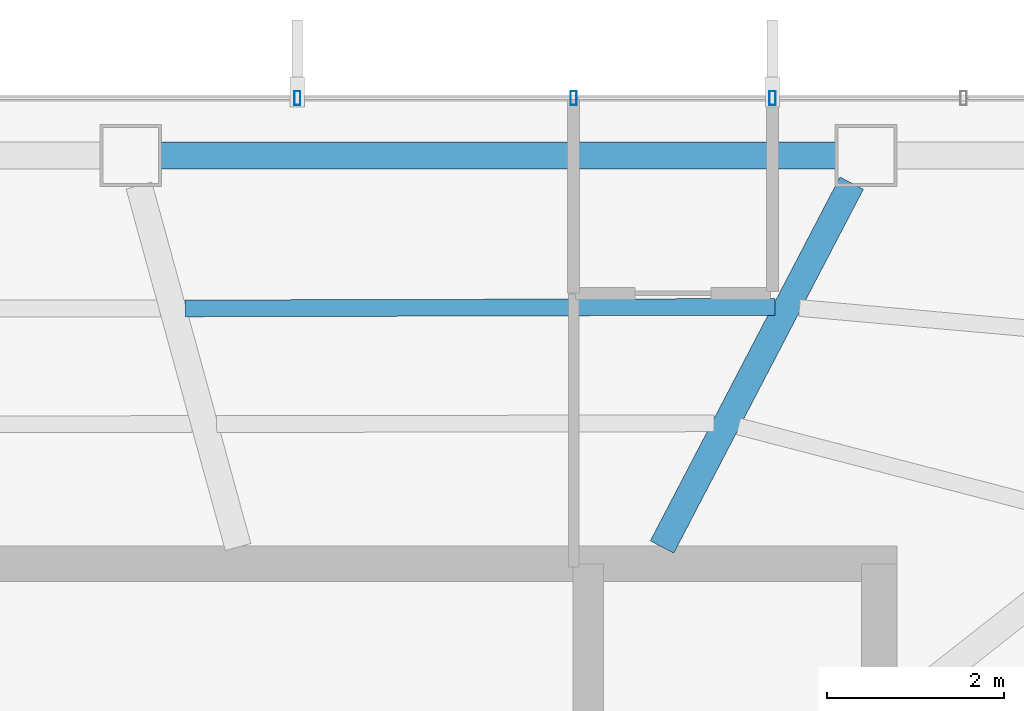
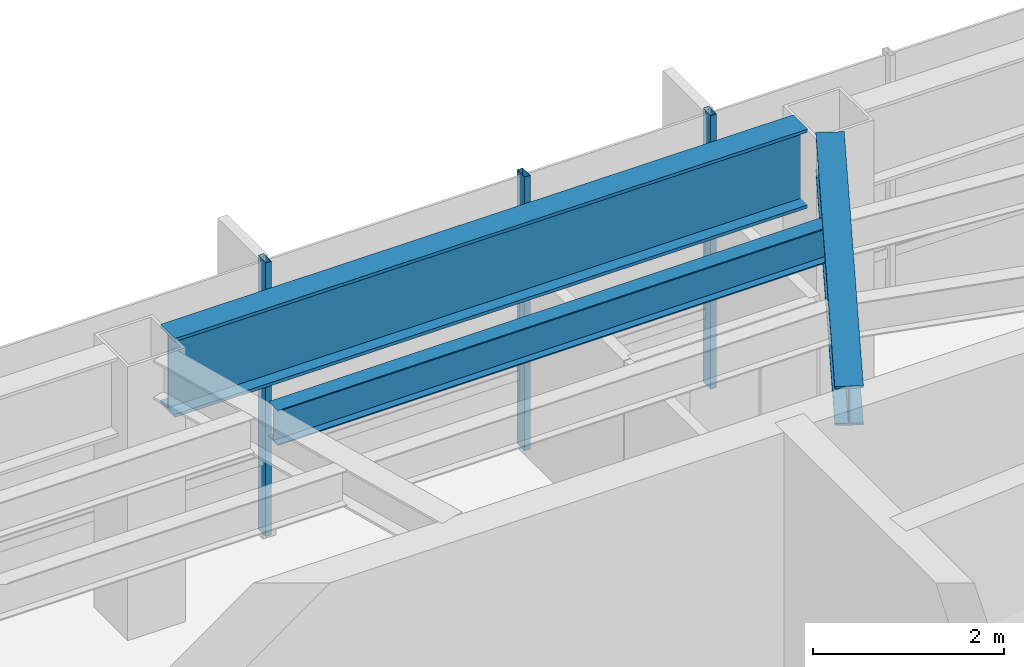
# One storey, part 15 of 27: 3 beams, 3 members, 1 element without a shape of its own.
"""IFC4 building model written with IfcOpenShell, lengths in metres."""

import ifcopenshell
import ifcopenshell.guid

model = None  # the IFC model being written
_history = None  # IfcOwnerHistory: only IFC2X3 demands one
_inside = {}  # id of a spatial element -> (the spatial element, [elements in it])
_under = {}  # id of a project, library or spatial element -> (it, [spatial elements below it])
_declared = {}  # id of a project -> (the project, [libraries it declares])
_typed = {}  # id of a type object -> (the type object, [elements of that type])
_made_of = {}  # id of a material, layer set ... -> (it, [elements and type objects made of it])


def new_model(schema):
    """Start an empty IFC model of exactly this schema.

    Asked for "IFC4X3", IfcOpenShell would pick the latest addendum, in which some entities
    have other attributes; the version numbers below select the first issue.
    IFC2X3 requires an IfcOwnerHistory on every rooted entity: one is made here for all.
    """
    global model, _history
    if schema == "IFC4X3":
        model = ifcopenshell.file(schema_version=(4, 3, 0, 0))
    else:
        model = ifcopenshell.file(schema=schema)
    _inside.clear()
    _under.clear()
    _declared.clear()
    _typed.clear()
    _made_of.clear()
    _history = None
    if model.schema == "IFC2X3":
        org = make("IfcOrganization", Name="unknown")
        user = make(
            "IfcPersonAndOrganization",
            ThePerson=make("IfcPerson", FamilyName="unknown"),
            TheOrganization=org,
        )
        app = make(
            "IfcApplication",
            ApplicationDeveloper=org,
            Version="unknown",
            ApplicationFullName="unknown",
            ApplicationIdentifier="unknown",
        )
        _history = make(
            "IfcOwnerHistory",
            OwningUser=user,
            OwningApplication=app,
            ChangeAction="ADDED",
            CreationDate=0,
        )
    return model


def make(cls, **values):
    """One entity of the class cls with the attributes given. An attribute that is None is left unset."""
    return model.create_entity(
        cls, **{name: value for name, value in values.items() if value is not None}
    )


def rooted(cls, **values):
    """An entity with a GlobalId (a new one), such as an element, a storey or a relation."""
    return make(cls, GlobalId=ifcopenshell.guid.new(), OwnerHistory=_history, **values)


def si_unit(unit_type, name, prefix=None):
    """IfcSIUnit, for example si_unit("LENGTHUNIT", "METRE", prefix="MILLI")."""
    return make("IfcSIUnit", UnitType=unit_type, Prefix=prefix, Name=name)


def assignment(units):
    """IfcUnitAssignment: the units of a project."""
    return None if units is None else make("IfcUnitAssignment", Units=units)


def point(xyz):
    """IfcCartesianPoint."""
    return None if xyz is None else make("IfcCartesianPoint", Coordinates=xyz)


def direction(xyz):
    """IfcDirection."""
    return None if xyz is None else make("IfcDirection", DirectionRatios=xyz)


def frame(location, z_axis=None, x_axis=None):
    """IfcAxis2Placement3D, a coordinate frame: its origin and axes. An axis left out is left unset."""
    return make(
        "IfcAxis2Placement3D",
        Location=point(location),
        Axis=direction(z_axis),
        RefDirection=direction(x_axis),
    )


def frame_2d(location, x_axis=None):
    """IfcAxis2Placement2D, a coordinate frame in the plane: its origin and x axis."""
    return make(
        "IfcAxis2Placement2D", Location=point(location), RefDirection=direction(x_axis)
    )


def origin():
    """The frame at (0, 0, 0) with its axes left unset."""
    return frame((0.0, 0.0, 0.0))


def origin_2d():
    """The frame at (0, 0) in the plane with its x axis left unset."""
    return frame_2d((0.0, 0.0))


def place(relative_to, where):
    """IfcLocalPlacement: puts the frame where relative to a parent placement (None: the world)."""
    return make(
        "IfcLocalPlacement", PlacementRelTo=relative_to, RelativePlacement=where
    )


def context(
    kind, dimensions, precision=None, world=None, true_north=None, identifier=None
):
    """IfcGeometricRepresentationContext, for example the 3D "Model" context."""
    return make(
        "IfcGeometricRepresentationContext",
        ContextIdentifier=identifier,
        ContextType=kind,
        CoordinateSpaceDimension=dimensions,
        Precision=precision,
        WorldCoordinateSystem=world,
        TrueNorth=true_north,
    )


def subcontext(parent, identifier, kind, view, scale=None):
    """IfcGeometricRepresentationSubContext, for example "Body" below "Model"."""
    return make(
        "IfcGeometricRepresentationSubContext",
        ContextIdentifier=identifier,
        ContextType=kind,
        ParentContext=parent,
        TargetScale=scale,
        TargetView=view,
    )


def project(units=None, contexts=None):
    """IfcProject with its units and contexts."""
    return rooted(
        "IfcProject",
        Name="project",
        RepresentationContexts=contexts,
        UnitsInContext=assignment(units),
    )


def spatial(cls, under=None, at=None, **own):
    """A site, building, storey or space (cls), placed at a placement, below another one or the project."""
    s = rooted(cls, ObjectPlacement=at, **own)
    if under is not None:
        _under.setdefault(under.id(), (under, []))[1].append(s)
    return s


def profile(cls, at=None, kind="AREA", **sizes):
    """A parametric profile (cls). Its sizes go by their IFC names, for example OverallWidth=200.0."""
    return make(cls, ProfileType=kind, Position=at, **sizes)


def hollow_rectangle(**sizes):
    """IfcRectangleHollowProfileDef."""
    return profile("IfcRectangleHollowProfileDef", **sizes)


def i_section(**sizes):
    """IfcIShapeProfileDef."""
    return profile("IfcIShapeProfileDef", **sizes)


def extrude(swept, where, along, depth):
    """IfcExtrudedAreaSolid: the profile swept, set in the frame where, extruded along a direction by depth."""
    return make(
        "IfcExtrudedAreaSolid",
        SweptArea=swept,
        Position=where,
        ExtrudedDirection=direction(along),
        Depth=depth,
    )


def shape(context_of_items, identifier, shape_type, items):
    """IfcShapeRepresentation: the items that make up one representation, for example the "Body"."""
    return make(
        "IfcShapeRepresentation",
        ContextOfItems=context_of_items,
        RepresentationIdentifier=identifier,
        RepresentationType=shape_type,
        Items=items,
    )


def material(Name=None, Category=None):
    """IfcMaterial."""
    return make("IfcMaterial", Name=Name, Category=Category)


def layer(
    of_material, thickness, ventilated=None, Name=None, Category=None, Priority=None
):
    """IfcMaterialLayer: one layer of a wall or slab, of a material (None: an air gap)."""
    return make(
        "IfcMaterialLayer",
        Material=of_material,
        LayerThickness=thickness,
        IsVentilated=ventilated,
        Name=Name,
        Category=Category,
        Priority=Priority,
    )


def layer_set(layers, Name=None):
    """IfcMaterialLayerSet."""
    return make("IfcMaterialLayerSet", MaterialLayers=layers, LayerSetName=Name)


def material_profile(
    of_material, cross_section, Name=None, Category=None, Priority=None
):
    """IfcMaterialProfile: a cross section and its material."""
    return make(
        "IfcMaterialProfile",
        Name=Name,
        Material=of_material,
        Profile=cross_section,
        Priority=Priority,
        Category=Category,
    )


def profile_set(profiles, Name=None, composite=None):
    """IfcMaterialProfileSet."""
    return make(
        "IfcMaterialProfileSet",
        Name=Name,
        MaterialProfiles=profiles,
        CompositeProfile=composite,
    )


def made_of(thing, what):
    """Note that an element or type object is made of a material, layer set ...; save() writes the relation."""
    if what is not None:
        _made_of.setdefault(what.id(), (what, []))[1].append(thing)
    return thing


def type_object(cls, material=None, **own):
    """A type object (cls), such as IfcWallType, which elements share."""
    return made_of(rooted(cls, **own), material)


def element(
    cls,
    number,
    at=None,
    inside=None,
    cuts=None,
    type_object=None,
    material=None,
    context=None,
    identifier="Body",
    shape_type=None,
    held_by="IfcProductDefinitionShape",
    body=None,
    shapes=None,
    **own,
):
    """One element of the class cls, such as IfcWall. Its Tag is "e" and its number.

    at: its placement. inside: the storey or other place that contains it. cuts: it is an
    opening in that element (IfcRelVoidsElement). A single representation is given by context,
    identifier, shape_type and body (its items); several are given by shapes. held_by: the class
    of the entity that holds the representations. save() writes the other relations.
    """
    e = rooted(cls, Tag="e%d" % number, ObjectPlacement=at, **own)
    if body is not None:
        shapes = [shape(context, identifier, shape_type, body)]
    if shapes is not None:
        e.Representation = make(held_by, Representations=shapes)
    if inside is not None:
        _inside.setdefault(inside.id(), (inside, []))[1].append(e)
    if cuts is not None:
        rooted(
            "IfcRelVoidsElement", RelatingBuildingElement=cuts, RelatedOpeningElement=e
        )
    if type_object is not None:
        _typed.setdefault(type_object.id(), (type_object, []))[1].append(e)
    return made_of(e, material)


def aggregate(whole, parts):
    """IfcRelAggregates: a whole, such as a stair, and the parts it consists of."""
    return rooted("IfcRelAggregates", RelatingObject=whole, RelatedObjects=parts)


def save(model, path):
    """Write the relations noted so far, then the file.

    IfcRelAggregates (storeys below a building ...), IfcRelContainedInSpatialStructure (elements
    in a storey), IfcRelDefinesByType, IfcRelAssociatesMaterial and IfcRelDeclares: one each for
    every whole, place, type object, material and project.
    """
    for whole, parts in _under.values():
        aggregate(whole, parts)
    for where, things in _inside.values():
        rooted(
            "IfcRelContainedInSpatialStructure",
            RelatedElements=things,
            RelatingStructure=where,
        )
    for kind, things in _typed.values():
        rooted("IfcRelDefinesByType", RelatedObjects=things, RelatingType=kind)
    for what, things in _made_of.values():
        rooted("IfcRelAssociatesMaterial", RelatedObjects=things, RelatingMaterial=what)
    for by, libraries in _declared.values():
        rooted("IfcRelDeclares", RelatingContext=by, RelatedDefinitions=libraries)
    model.write(path)


model = new_model("IFC4")

# Units and contexts
model_context = context("Model", 3, precision=1e-05, world=origin(), true_north=direction((0.0, 1.0)))
body_context = subcontext(model_context, "Body", "Model", "MODEL_VIEW")
ifc_project = project(units=[si_unit("LENGTHUNIT", "METRE"), si_unit("AREAUNIT", "SQUARE_METRE"), si_unit("VOLUMEUNIT", "CUBIC_METRE"), si_unit("PLANEANGLEUNIT", "RADIAN"), si_unit("MASSUNIT", "GRAM", prefix="KILO")], contexts=[model_context])

# Site, building, storey
site_placement = place(None, origin())
site = spatial("IfcSite", under=ifc_project, at=site_placement, CompositionType="ELEMENT")
building_placement = place(site_placement, origin())
building = spatial("IfcBuilding", under=site, at=building_placement, Name="Zarrinselat Tower", CompositionType="ELEMENT")
storey_placement = place(building_placement, frame((0.0, 0.0, 179.52001953125)))
storey = spatial("IfcBuildingStorey", under=building, at=storey_placement, Name="L44", CompositionType="ELEMENT", Elevation=179.52001953125)

# Beams
ifc_material_1 = material(Name="Steel S355J2", Category="steel")
ifc_material_profile_1 = material_profile(ifc_material_1, i_section(OverallWidth=0.300048828125, OverallDepth=0.5, WebThickness=0.014404296875, FlangeThickness=0.028076171875, at=origin_2d()), Name="HEB 500")
ifc_profile_set_1 = profile_set([ifc_material_profile_1], Name="Steel S355J2")
beam_type_1 = type_object("IfcBeamType", Name="BM-HEB500", PredefinedType="BEAM", material=ifc_profile_set_1)
beam_1_placement = place(storey_placement, frame((45.800048828125, 43.639892578125, 3.25), z_axis=(0.462199624704, 0.886775905696, 0.0), x_axis=(-0.886775905696, 0.462199624704, 0.0)))
element("IfcBeam", 1, at=beam_1_placement, inside=storey, type_object=beam_type_1, Name="L44 Radial Primary Girder RG02", PredefinedType="BEAM", context=body_context, shape_type="SweptSolid", body=[
    extrude(i_section(OverallWidth=0.300048828125, OverallDepth=0.5, WebThickness=0.014404296875, FlangeThickness=0.028076171875, at=origin_2d()), origin(), (0.0, 0.0, 1.0), 4.646240234375),
])
ifc_material_2 = material(Name="Steel S460M", Category="steel")
ifc_material_profile_2 = material_profile(ifc_material_2, i_section(OverallWidth=0.302001953125, OverallDepth=1.008056640625, WebThickness=0.02099609375, FlangeThickness=0.0400390625, at=origin_2d()), Name="HEM 1000")
ifc_profile_set_2 = profile_set([ifc_material_profile_2], Name="Steel S460M")
beam_type_2 = type_object("IfcBeamType", Name="BM-HEM1000", PredefinedType="BEAM", material=ifc_profile_set_2)
beam_2_placement = place(storey_placement, frame((40.122314453125, 48.072265625, 2.99609375), z_axis=(1.0, 0.0, 0.0), x_axis=(0.0, 1.0, 0.0)))
element("IfcBeam", 2, at=beam_2_placement, inside=storey, type_object=beam_type_2, Name="L44 Perimeter Spandrel Girder SP02", PredefinedType="BEAM", context=body_context, shape_type="SweptSolid", body=[
    extrude(i_section(OverallWidth=0.302001953125, OverallDepth=1.008056640625, WebThickness=0.02099609375, FlangeThickness=0.0400390625, at=origin_2d()), origin(), (0.0, 0.0, 1.0), 7.64990234375),
])
ifc_material_3 = material(Name="Steel S355J2", Category="steel")
ifc_material_profile_3 = material_profile(ifc_material_3, i_section(OverallWidth=0.18994140625, OverallDepth=0.449951171875, WebThickness=0.009521484375, FlangeThickness=0.0146484375, at=origin_2d()), Name="IPE 450")
ifc_profile_set_3 = profile_set([ifc_material_profile_3], Name="Steel S355J2")
beam_type_3 = type_object("IfcBeamType", Name="BM-IPE450", PredefinedType="JOIST", material=ifc_profile_set_3)
beam_3_placement = place(storey_placement, frame((40.399169921875, 46.341552734375, 3.27490234375), z_axis=(0.999996631451, 0.002595589707, 0.0), x_axis=(-0.002595589707, 0.999996631451, 0.0)))
element("IfcBeam", 3, at=beam_3_placement, inside=storey, type_object=beam_type_3, Name="L44 Composite Floor Joist 7-1", PredefinedType="JOIST", context=body_context, shape_type="SweptSolid", body=[
    extrude(i_section(OverallWidth=0.18994140625, OverallDepth=0.449951171875, WebThickness=0.009521484375, FlangeThickness=0.0146484375, at=origin_2d()), origin(), (0.0, 0.0, 1.0), 6.67822265625),
])

# Curtain wall, members
ifc_material_4 = material(Name="Extruded Aluminium Alloy EN AW-6063 T6", Category="aluminium")
ifc_layer = layer(ifc_material_4, 0.175048828125)
ifc_layer_set = layer_set([ifc_layer], Name="Extruded Aluminium Alloy EN AW-6063 T6")
curtain_wall_type = type_object("IfcCurtainWallType", Name="CWS-HTL", PredefinedType="NOTDEFINED", material=ifc_layer_set)
curtain_wall_placement = place(storey_placement, origin())
curtain_wall = element("IfcCurtainWall", 4, at=curtain_wall_placement, inside=storey, type_object=curtain_wall_type, Name="L44 Unitised Curtain Wall CW-L44-E01", PredefinedType="NOTDEFINED")
ifc_material_5 = material(Name="Extruded Aluminium Alloy EN AW-6063 T6", Category="aluminium")
ifc_material_profile_4 = material_profile(ifc_material_5, hollow_rectangle(XDim=0.070068359375, YDim=0.159912109375, WallThickness=0.00390625, at=origin_2d()), Name="RHS 160x70x4")
ifc_profile_set_4 = profile_set([ifc_material_profile_4], Name="Extruded Aluminium Alloy EN AW-6063 T6")
member_type = type_object("IfcMemberType", Name="MEM-CW-MUL2", PredefinedType="MULLION", material=ifc_profile_set_4)
member_1_placement = place(storey_placement, frame((47.050048828125, 48.72216796875, 0.0), z_axis=(0.0, 0.0, 1.0), x_axis=(-1.0, 0.0, 0.0)))
member_1 = element("IfcMember", 5, at=member_1_placement, type_object=member_type, Name="CW-L44-E01 Mullion 3", PredefinedType="MULLION", context=body_context, shape_type="SweptSolid", body=[
    extrude(hollow_rectangle(XDim=0.070068359375, YDim=0.159912109375, WallThickness=0.00390625, at=origin_2d()), origin(), (0.0, 0.0, 1.0), 3.5),
])
member_2_placement = place(storey_placement, frame((44.800048828125, 48.72216796875, 0.0), z_axis=(0.0, 0.0, 1.0), x_axis=(-1.0, 0.0, 0.0)))
member_2 = element("IfcMember", 6, at=member_2_placement, type_object=member_type, Name="CW-L44-E01 Mullion 4", PredefinedType="MULLION", context=body_context, shape_type="SweptSolid", body=[
    extrude(hollow_rectangle(XDim=0.070068359375, YDim=0.159912109375, WallThickness=0.00390625, at=origin_2d()), origin(), (0.0, 0.0, 1.0), 3.5),
])
member_3_placement = place(storey_placement, frame((41.67041015625, 48.72216796875, 0.0), z_axis=(0.0, 0.0, 1.0), x_axis=(-1.0, 0.0, 0.0)))
member_3 = element("IfcMember", 7, at=member_3_placement, type_object=member_type, Name="CW-L44-E01 Mullion 5", PredefinedType="MULLION", context=body_context, shape_type="SweptSolid", body=[
    extrude(hollow_rectangle(XDim=0.070068359375, YDim=0.159912109375, WallThickness=0.00390625, at=origin_2d()), origin(), (0.0, 0.0, 1.0), 3.5),
])
aggregate(curtain_wall, [member_1, member_2, member_3])

save(model, "model.ifc")
